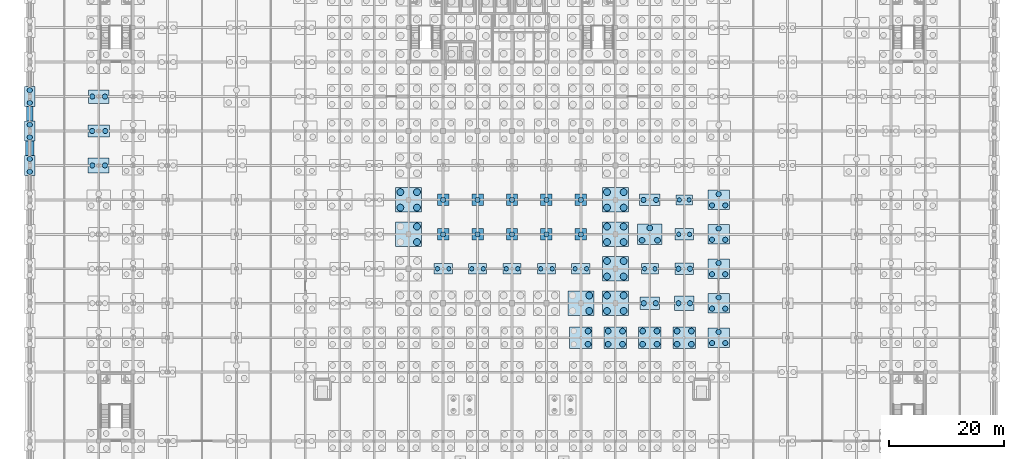
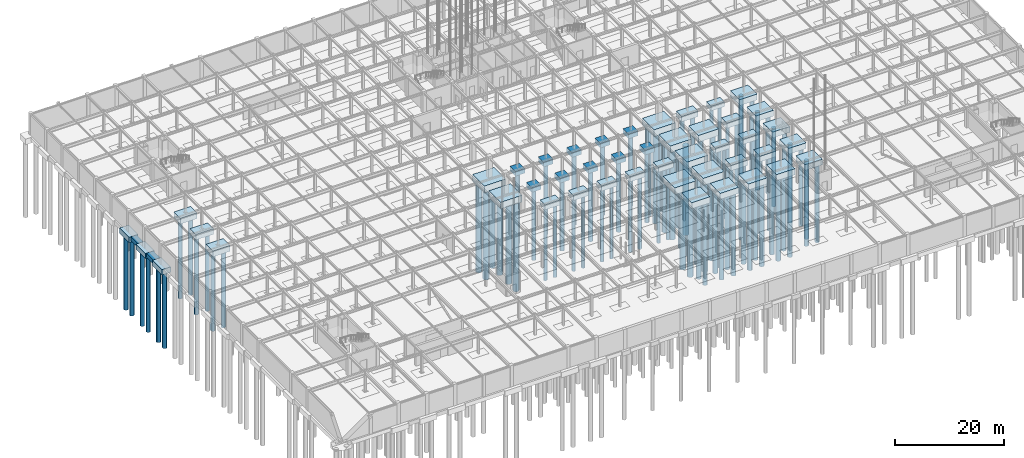
# One storey, part 4 of 69: 102 piles, 47 footings.
"""IFC4 building model written with IfcOpenShell, lengths in metres."""

from ifc_helpers import new_model, si_unit, direction, frame, origin, origin_2d, place, context, subcontext, project, spatial, rectangle, circle, extrude, material, material_profile, profile_set, type_object, element, save


model = new_model("IFC4")

# Units and contexts
model_context = context("Model", 3, precision=1e-05, world=origin(), true_north=direction((0.0, 1.0)))
body_context = subcontext(model_context, "Body", "Model", "MODEL_VIEW")
ifc_project = project(units=[si_unit("LENGTHUNIT", "METRE"), si_unit("AREAUNIT", "SQUARE_METRE"), si_unit("VOLUMEUNIT", "CUBIC_METRE"), si_unit("PLANEANGLEUNIT", "RADIAN"), si_unit("MASSUNIT", "GRAM", prefix="KILO")], contexts=[model_context])

# Site, building, storey
site_placement = place(None, origin())
site = spatial("IfcSite", under=ifc_project, at=site_placement, CompositionType="ELEMENT")
building_placement = place(site_placement, origin())
building = spatial("IfcBuilding", under=site, at=building_placement, Name="Zlatovratsky Civic Hall", CompositionType="ELEMENT")
storey_placement = place(building_placement, frame((0.0, 0.0, -4.800048828125)))
storey = spatial("IfcBuildingStorey", under=building, at=storey_placement, Name="B1", CompositionType="ELEMENT", Elevation=-4.800048828125)

# Footings
ifc_material = material(Name="Concrete C25/30 (B30)", Category="concrete")
footing_type_1 = type_object("IfcFootingType", Name="Footing_Cap1_ChamberUnder_2000x2000x1050", PredefinedType="PILE_CAP", material=ifc_material)
for number, where, z_axis, x_axis, name in (
    (1, (72.0, 54.0, -1.0498046875), (0.0, 0.0, 1.0), (1.0, 0.0, 0.0), "FD-171"),
    (2, (78.0, 54.0, -1.0498046875), (0.0, 0.0, 1.0), (1.0, 0.0, 0.0), "FD-172"),
    (3, (84.0, 54.0, -1.0498046875), (0.0, 0.0, 1.0), (1.0, 0.0, 0.0), "FD-173"),
    (4, (90.0, 54.0, -1.0498046875), (0.0, 0.0, 1.0), (1.0, 0.0, 0.0), "FD-174"),
    (5, (96.0, 54.0, -1.0498046875), (0.0, 0.0, 1.0), (1.0, 0.0, 0.0), "FD-175"),
    (6, (72.0, 60.0, -1.0498046875), (0.0, 0.0, 1.0), (1.0, 0.0, 0.0), "FD-194"),
    (7, (78.0, 60.0, -1.0498046875), (0.0, 0.0, 1.0), (1.0, 0.0, 0.0), "FD-195"),
    (8, (84.0, 60.0, -1.0498046875), (0.0, 0.0, 1.0), (1.0, 0.0, 0.0), "FD-196"),
    (9, (90.0, 60.0, -1.0498046875), (0.0, 0.0, 1.0), (1.0, 0.0, 0.0), "FD-197"),
    (10, (96.0, 60.0, -1.0498046875), (0.0, 0.0, 1.0), (1.0, 0.0, 0.0), "FD-198"),
):
    element("IfcFooting", number, at=place(storey_placement, frame(where, z_axis=z_axis, x_axis=x_axis)), inside=storey, type_object=footing_type_1, Name=name, PredefinedType="PILE_CAP", context=body_context, shape_type="SweptSolid", body=[
        extrude(rectangle(XDim=2.0, YDim=2.0, at=origin_2d()), origin(), (0.0, 0.0, 1.0), 1.050048828125),
    ])
footing_type_2 = type_object("IfcFootingType", Name="Footing_Cap2_ArchiveN_3500x2000x1200", PredefinedType="PILE_CAP", material=ifc_material)
footing_1_placement = place(storey_placement, frame((108.0, 60.0, -1.19970703125), z_axis=(0.0, 0.0, 1.0), x_axis=(1.0, 0.0, 0.0)))
element("IfcFooting", 11, at=footing_1_placement, inside=storey, type_object=footing_type_2, Name="FD-200", PredefinedType="PILE_CAP", context=body_context, shape_type="SweptSolid", body=[
    extrude(rectangle(XDim=3.5, YDim=2.0, at=origin_2d()), origin(), (0.0, 0.0, 1.0), 1.199951171875),
])
footing_type_3 = type_object("IfcFootingType", Name="Footing_Cap2_ArchiveS_3250x1950x1150", PredefinedType="PILE_CAP", material=ifc_material)
footing_2_placement = place(storey_placement, frame((114.0, 48.0, -1.14990234375), z_axis=(0.0, 0.0, 1.0), x_axis=(1.0, 0.0, 0.0)))
element("IfcFooting", 12, at=footing_2_placement, inside=storey, type_object=footing_type_3, Name="FD-155", PredefinedType="PILE_CAP", context=body_context, shape_type="SweptSolid", body=[
    extrude(rectangle(XDim=3.25, YDim=1.949951171875, at=origin_2d()), origin(), (0.0, 0.0, 1.0), 1.14990234375),
])
footing_type_4 = type_object("IfcFootingType", Name="Footing_Cap2_Boulevard_3550x2350x1300", PredefinedType="PILE_CAP", material=ifc_material)
footing_3_placement = place(storey_placement, frame((12.0, 78.0, -1.2998046875), z_axis=(0.0, 0.0, 1.0), x_axis=(1.0, 0.0, 0.0)))
element("IfcFooting", 13, at=footing_3_placement, inside=storey, type_object=footing_type_4, Name="FD-255", PredefinedType="PILE_CAP", context=body_context, shape_type="SweptSolid", body=[
    extrude(rectangle(XDim=3.550048828125, YDim=2.35009765625, at=origin_2d()), origin(), (0.0, 0.0, 1.0), 1.300048828125),
])
footing_type_5 = type_object("IfcFootingType", Name="Footing_Cap2_CourtN_2950x1850x1100", PredefinedType="PILE_CAP", material=ifc_material)
footing_4_placement = place(storey_placement, frame((108.0, 48.0, -1.10009765625), z_axis=(0.0, 0.0, 1.0), x_axis=(1.0, 0.0, 0.0)))
element("IfcFooting", 14, at=footing_4_placement, inside=storey, type_object=footing_type_5, Name="FD-154", PredefinedType="PILE_CAP", context=body_context, shape_type="SweptSolid", body=[
    extrude(rectangle(XDim=2.949951171875, YDim=1.85009765625, at=origin_2d()), origin(), (0.0, 0.0, 1.0), 1.10009765625),
])
footing_type_6 = type_object("IfcFootingType", Name="Footing_Cap2_CourtS_2800x1700x1050", PredefinedType="PILE_CAP", material=ifc_material)
footing_5_placement = place(storey_placement, frame((114.0, 60.0, -1.0498046875), z_axis=(0.0, 0.0, 1.0), x_axis=(1.0, 0.0, 0.0)))
element("IfcFooting", 15, at=footing_5_placement, inside=storey, type_object=footing_type_6, Name="FD-201", PredefinedType="PILE_CAP", context=body_context, shape_type="SweptSolid", body=[
    extrude(rectangle(XDim=2.800048828125, YDim=1.699951171875, at=origin_2d()), origin(), (0.0, 0.0, 1.0), 1.050048828125),
])
footing_type_7 = type_object("IfcFootingType", Name="Footing_Cap2_Galleria_3150x2050x1150", PredefinedType="PILE_CAP", material=ifc_material)
footing_6_placement = place(storey_placement, frame((114.0, 54.0, -1.14990234375), z_axis=(0.0, 0.0, 1.0), x_axis=(1.0, 0.0, 0.0)))
element("IfcFooting", 16, at=footing_6_placement, inside=storey, type_object=footing_type_7, Name="FD-178", PredefinedType="PILE_CAP", context=body_context, shape_type="SweptSolid", body=[
    extrude(rectangle(XDim=3.14990234375, YDim=2.050048828125, at=origin_2d()), origin(), (0.0, 0.0, 1.0), 1.14990234375),
])
footing_type_8 = type_object("IfcFootingType", Name="Footing_Cap2_GalleryLine_3200x1850x1150", PredefinedType="PILE_CAP", material=ifc_material)
for number, where, z_axis, x_axis, name in (
    (17, (72.0, 48.0, -1.14990234375), (0.0, 0.0, 1.0), (1.0, 0.0, 0.0), "FD-148"),
    (18, (78.0, 48.0, -1.14990234375), (0.0, 0.0, 1.0), (1.0, 0.0, 0.0), "FD-149"),
    (19, (84.0, 48.0, -1.14990234375), (0.0, 0.0, 1.0), (1.0, 0.0, 0.0), "FD-150"),
    (20, (90.0, 48.0, -1.14990234375), (0.0, 0.0, 1.0), (1.0, 0.0, 0.0), "FD-151"),
    (21, (96.0, 48.0, -1.14990234375), (0.0, 0.0, 1.0), (1.0, 0.0, 0.0), "FD-152"),
):
    element("IfcFooting", number, at=place(storey_placement, frame(where, z_axis=z_axis, x_axis=x_axis)), inside=storey, type_object=footing_type_8, Name=name, PredefinedType="PILE_CAP", context=body_context, shape_type="SweptSolid", body=[
        extrude(rectangle(XDim=3.199951171875, YDim=1.85009765625, at=origin_2d()), origin(), (0.0, 0.0, 1.0), 1.14990234375),
    ])
footing_type_9 = type_object("IfcFootingType", Name="Footing_Cap2_LibraryE_3650x2550x1300", PredefinedType="PILE_CAP", material=ifc_material)
footing_7_placement = place(storey_placement, frame((12.0, 66.0, -1.2998046875), z_axis=(0.0, 0.0, 1.0), x_axis=(1.0, 0.0, 0.0)))
element("IfcFooting", 22, at=footing_7_placement, inside=storey, type_object=footing_type_9, Name="FD-209", PredefinedType="PILE_CAP", context=body_context, shape_type="SweptSolid", body=[
    extrude(rectangle(XDim=3.64990234375, YDim=2.550048828125, at=origin_2d()), origin(), (0.0, 0.0, 1.0), 1.300048828125),
])
footing_type_10 = type_object("IfcFootingType", Name="Footing_Cap2_PlantB1_3350x2450x1250", PredefinedType="PILE_CAP", material=ifc_material)
footing_8_placement = place(storey_placement, frame((114.0, 42.0, -1.25), z_axis=(0.0, 0.0, 1.0), x_axis=(1.0, 0.0, 0.0)))
element("IfcFooting", 23, at=footing_8_placement, inside=storey, type_object=footing_type_10, Name="FD-132", PredefinedType="PILE_CAP", context=body_context, shape_type="SweptSolid", body=[
    extrude(rectangle(XDim=3.35009765625, YDim=2.449951171875, at=origin_2d()), origin(), (0.0, 0.0, 1.0), 1.25),
])
footing_type_11 = type_object("IfcFootingType", Name="Footing_Cap2_ReceptionW_3450x2250x1200", PredefinedType="PILE_CAP", material=ifc_material)
footing_9_placement = place(storey_placement, frame((108.0, 42.0, -1.19970703125), z_axis=(0.0, 0.0, 1.0), x_axis=(1.0, 0.0, 0.0)))
element("IfcFooting", 24, at=footing_9_placement, inside=storey, type_object=footing_type_11, Name="FD-131", PredefinedType="PILE_CAP", context=body_context, shape_type="SweptSolid", body=[
    extrude(rectangle(XDim=3.449951171875, YDim=2.25, at=origin_2d()), origin(), (0.0, 0.0, 1.0), 1.199951171875),
])
footing_type_12 = type_object("IfcFootingType", Name="Footing_Cap2_ServiceE_3750x2150x1250", PredefinedType="PILE_CAP", material=ifc_material)
footing_10_placement = place(storey_placement, frame((12.0, 72.0, -1.25), z_axis=(0.0, 0.0, 1.0), x_axis=(1.0, 0.0, 0.0)))
element("IfcFooting", 25, at=footing_10_placement, inside=storey, type_object=footing_type_12, Name="FD-232", PredefinedType="PILE_CAP", context=body_context, shape_type="SweptSolid", body=[
    extrude(rectangle(XDim=3.75, YDim=2.14990234375, at=origin_2d()), origin(), (0.0, 0.0, 1.0), 1.25),
])
footing_type_13 = type_object("IfcFootingType", Name="Footing_Cap2_WingEdgeY_1900x3500x1200", PredefinedType="PILE_CAP", material=ifc_material)
for number, where, z_axis, x_axis, name in (
    (26, (0.0, 66.0, -1.19970703125), (0.0, 0.0, 1.0), (1.0, 0.0, 0.0), "FD-208"),
    (27, (0.0, 72.0, -1.19970703125), (0.0, 0.0, 1.0), (1.0, 0.0, 0.0), "FD-231"),
    (28, (0.0, 78.0, -1.19970703125), (0.0, 0.0, 1.0), (1.0, 0.0, 0.0), "FD-254"),
):
    element("IfcFooting", number, at=place(storey_placement, frame(where, z_axis=z_axis, x_axis=x_axis)), inside=storey, type_object=footing_type_13, Name=name, PredefinedType="PILE_CAP", context=body_context, shape_type="SweptSolid", body=[
        extrude(rectangle(XDim=1.89990234375, YDim=3.5, at=origin_2d()), origin(), (0.0, 0.0, 1.0), 1.199951171875),
    ])
footing_type_14 = type_object("IfcFootingType", Name="Footing_Cap3_CourtEdge_3700x3400x1300", PredefinedType="PILE_CAP", material=ifc_material)
for number, where, z_axis, x_axis, name in (
    (29, (120.0, 36.0, -1.2998046875), (0.0, 0.0, 1.0), (1.0, 0.0, 0.0), "FD-110"),
    (30, (120.0, 42.0, -1.2998046875), (0.0, 0.0, 1.0), (1.0, 0.0, 0.0), "FD-133"),
    (31, (120.0, 48.0, -1.2998046875), (0.0, 0.0, 1.0), (1.0, 0.0, 0.0), "FD-156"),
    (32, (120.0, 54.0, -1.2998046875), (0.0, 0.0, 1.0), (1.0, 0.0, 0.0), "FD-179"),
    (33, (120.0, 60.0, -1.2998046875), (0.0, 0.0, 1.0), (1.0, 0.0, 0.0), "FD-202"),
):
    element("IfcFooting", number, at=place(storey_placement, frame(where, z_axis=z_axis, x_axis=x_axis)), inside=storey, type_object=footing_type_14, Name=name, PredefinedType="PILE_CAP", context=body_context, shape_type="SweptSolid", body=[
        extrude(rectangle(XDim=3.699951171875, YDim=3.39990234375, at=origin_2d()), origin(), (0.0, 0.0, 1.0), 1.300048828125),
    ])
footing_type_15 = type_object("IfcFootingType", Name="Footing_Cap3_TowerNorth_4300x3600x1500", PredefinedType="PILE_CAP", material=ifc_material)
footing_11_placement = place(storey_placement, frame((108.0, 54.0, -1.5), z_axis=(0.0, 0.0, 1.0), x_axis=(1.0, 0.0, 0.0)))
element("IfcFooting", 34, at=footing_11_placement, inside=storey, type_object=footing_type_15, Name="FD-177", PredefinedType="PILE_CAP", context=body_context, shape_type="SweptSolid", body=[
    extrude(rectangle(XDim=4.300048828125, YDim=3.60009765625, at=origin_2d()), origin(), (0.0, 0.0, 1.0), 1.5),
])
footing_type_16 = type_object("IfcFootingType", Name="Footing_Cap4_ChamberDrum_4500x4300x1550", PredefinedType="PILE_CAP", material=ifc_material)
for number, where, z_axis, x_axis, name in (
    (35, (96.0, 42.0, -1.5498046875), (0.0, 0.0, 1.0), (1.0, 0.0, 0.0), "FD-129"),
    (36, (102.0, 42.0, -1.5498046875), (0.0, 0.0, 1.0), (1.0, 0.0, 0.0), "FD-130"),
    (37, (102.0, 48.0, -1.5498046875), (0.0, 0.0, 1.0), (1.0, 0.0, 0.0), "FD-153"),
    (38, (66.0, 54.0, -1.5498046875), (0.0, 0.0, 1.0), (1.0, 0.0, 0.0), "FD-170"),
    (39, (102.0, 54.0, -1.5498046875), (0.0, 0.0, 1.0), (1.0, 0.0, 0.0), "FD-176"),
    (40, (66.0, 60.0, -1.5498046875), (0.0, 0.0, 1.0), (1.0, 0.0, 0.0), "FD-193"),
    (41, (102.0, 60.0, -1.5498046875), (0.0, 0.0, 1.0), (1.0, 0.0, 0.0), "FD-199"),
):
    element("IfcFooting", number, at=place(storey_placement, frame(where, z_axis=z_axis, x_axis=x_axis)), inside=storey, type_object=footing_type_16, Name=name, PredefinedType="PILE_CAP", context=body_context, shape_type="SweptSolid", body=[
        extrude(rectangle(XDim=4.5, YDim=4.300048828125, at=origin_2d()), origin(), (0.0, 0.0, 1.0), 1.550048828125),
    ])
footing_type_17 = type_object("IfcFootingType", Name="Footing_Cap4_HallSpine_3900x3700x1350", PredefinedType="PILE_CAP", material=ifc_material)
for number, where, z_axis, x_axis, name in (
    (42, (96.0, 36.0, -1.35009765625), (0.0, 0.0, 1.0), (1.0, 0.0, 0.0), "FD-106"),
    (43, (102.0, 36.0, -1.35009765625), (0.0, 0.0, 1.0), (1.0, 0.0, 0.0), "FD-107"),
    (44, (108.0, 36.0, -1.35009765625), (0.0, 0.0, 1.0), (1.0, 0.0, 0.0), "FD-108"),
    (45, (114.0, 36.0, -1.35009765625), (0.0, 0.0, 1.0), (1.0, 0.0, 0.0), "FD-109"),
):
    element("IfcFooting", number, at=place(storey_placement, frame(where, z_axis=z_axis, x_axis=x_axis)), inside=storey, type_object=footing_type_17, Name=name, PredefinedType="PILE_CAP", context=body_context, shape_type="SweptSolid", body=[
        extrude(rectangle(XDim=3.89990234375, YDim=3.699951171875, at=origin_2d()), origin(), (0.0, 0.0, 1.0), 1.35009765625),
    ])
footing_type_18 = type_object("IfcFootingType", Name="Footing_Strip_B1_01", PredefinedType="STRIP_FOOTING", material=ifc_material)
footing_12_placement = place(storey_placement, frame((0.0, 75.0, -0.85009765625), z_axis=(0.0, 0.0, 1.0), x_axis=(1.0, 0.0, 0.0)))
element("IfcFooting", 46, at=footing_12_placement, inside=storey, type_object=footing_type_18, Name="FD-469", PredefinedType="STRIP_FOOTING", context=body_context, shape_type="SweptSolid", body=[
    extrude(rectangle(XDim=1.199951171875, YDim=2.5, at=origin_2d()), origin(), (0.0, 0.0, 1.0), 0.85009765625),
])
footing_type_19 = type_object("IfcFootingType", Name="Footing_Strip_B1_06", PredefinedType="STRIP_FOOTING", material=ifc_material)
footing_13_placement = place(storey_placement, frame((0.0, 69.0, -0.94970703125), z_axis=(0.0, 0.0, 1.0), x_axis=(1.0, 0.0, 0.0)))
element("IfcFooting", 47, at=footing_13_placement, inside=storey, type_object=footing_type_19, Name="FD-468", PredefinedType="STRIP_FOOTING", context=body_context, shape_type="SweptSolid", body=[
    extrude(rectangle(XDim=1.449951171875, YDim=2.5, at=origin_2d()), origin(), (0.0, 0.0, 1.0), 0.949951171875),
])

# Piles
ifc_material_profile_1 = material_profile(ifc_material, circle(Radius=0.5, at=origin_2d()), Name="PILE D1000")
ifc_profile_set_1 = profile_set([ifc_material_profile_1], Name="Concrete C25/30 (B30)")
pile_type_1 = type_object("IfcPileType", Name="Pile_Bored_D1000", PredefinedType="BORED", material=ifc_profile_set_1)
for number, where, z_axis, x_axis, name in (
    (48, (97.25, 34.85009765625, -1.25), (0.0, 0.0, -1.0), (1.0, 0.0, 0.0), "PL-0284"),
    (49, (97.25, 37.14990234375, -1.25), (0.0, 0.0, -1.0), (1.0, 0.0, 0.0), "PL-0286"),
    (50, (100.75, 34.85009765625, -1.25), (0.0, 0.0, -1.0), (1.0, 0.0, 0.0), "PL-0287"),
    (51, (103.25, 34.85009765625, -1.25), (0.0, 0.0, -1.0), (1.0, 0.0, 0.0), "PL-0288"),
    (52, (100.75, 37.14990234375, -1.25), (0.0, 0.0, -1.0), (1.0, 0.0, 0.0), "PL-0289"),
    (53, (103.25, 37.14990234375, -1.25), (0.0, 0.0, -1.0), (1.0, 0.0, 0.0), "PL-0290"),
    (54, (106.75, 34.85009765625, -1.25), (0.0, 0.0, -1.0), (1.0, 0.0, 0.0), "PL-0291"),
    (55, (109.25, 34.85009765625, -1.25), (0.0, 0.0, -1.0), (1.0, 0.0, 0.0), "PL-0292"),
    (56, (106.75, 37.14990234375, -1.25), (0.0, 0.0, -1.0), (1.0, 0.0, 0.0), "PL-0293"),
    (57, (109.25, 37.14990234375, -1.25), (0.0, 0.0, -1.0), (1.0, 0.0, 0.0), "PL-0294"),
    (58, (112.75, 34.85009765625, -1.25), (0.0, 0.0, -1.0), (1.0, 0.0, 0.0), "PL-0295"),
    (59, (115.25, 34.85009765625, -1.25), (0.0, 0.0, -1.0), (1.0, 0.0, 0.0), "PL-0296"),
    (60, (112.75, 37.14990234375, -1.25), (0.0, 0.0, -1.0), (1.0, 0.0, 0.0), "PL-0297"),
    (61, (115.25, 37.14990234375, -1.25), (0.0, 0.0, -1.0), (1.0, 0.0, 0.0), "PL-0298"),
):
    element("IfcPile", number, at=place(storey_placement, frame(where, z_axis=z_axis, x_axis=x_axis)), inside=storey, type_object=pile_type_1, Name=name, PredefinedType="BORED", context=body_context, shape_type="SweptSolid", body=[
        extrude(circle(Radius=0.5, at=origin_2d()), origin(), (0.0, 0.0, 1.0), 18.5),
    ])
for number, where, z_axis, x_axis, name in (
    (62, (106.64990234375, 52.949951171875, -1.39990234375), (0.0, 0.0, -1.0), (1.0, 0.0, 0.0), "PL-0451"),
    (63, (109.35009765625, 52.949951171875, -1.39990234375), (0.0, 0.0, -1.0), (1.0, 0.0, 0.0), "PL-0452"),
    (64, (108.0, 55.10009765625, -1.39990234375), (0.0, 0.0, -1.0), (1.0, 0.0, 0.0), "PL-0453"),
):
    element("IfcPile", number, at=place(storey_placement, frame(where, z_axis=z_axis, x_axis=x_axis)), inside=storey, type_object=pile_type_1, Name=name, PredefinedType="BORED", context=body_context, shape_type="SweptSolid", body=[
        extrude(circle(Radius=0.5, at=origin_2d()), origin(), (0.0, 0.0, 1.0), 19.0),
    ])
ifc_material_profile_2 = material_profile(ifc_material, circle(Radius=0.60009765625, at=origin_2d()), Name="PILE D1200")
ifc_profile_set_2 = profile_set([ifc_material_profile_2], Name="Concrete C25/30 (B30)")
pile_type_2 = type_object("IfcPileType", Name="Pile_Bored_D1200", PredefinedType="BORED", material=ifc_profile_set_2)
for number, where, z_axis, x_axis, name in (
    (65, (97.449951171875, 40.64990234375, -1.449951171875), (0.0, 0.0, -1.0), (1.0, 0.0, 0.0), "PL-0349"),
    (66, (97.449951171875, 43.35009765625, -1.449951171875), (0.0, 0.0, -1.0), (1.0, 0.0, 0.0), "PL-0351"),
    (67, (100.550048828125, 40.64990234375, -1.449951171875), (0.0, 0.0, -1.0), (1.0, 0.0, 0.0), "PL-0352"),
    (68, (103.449951171875, 40.64990234375, -1.449951171875), (0.0, 0.0, -1.0), (1.0, 0.0, 0.0), "PL-0353"),
    (69, (100.550048828125, 43.35009765625, -1.449951171875), (0.0, 0.0, -1.0), (1.0, 0.0, 0.0), "PL-0354"),
    (70, (103.449951171875, 43.35009765625, -1.449951171875), (0.0, 0.0, -1.0), (1.0, 0.0, 0.0), "PL-0355"),
    (71, (100.550048828125, 46.64990234375, -1.449951171875), (0.0, 0.0, -1.0), (1.0, 0.0, 0.0), "PL-0402"),
    (72, (103.449951171875, 46.64990234375, -1.449951171875), (0.0, 0.0, -1.0), (1.0, 0.0, 0.0), "PL-0403"),
    (73, (100.550048828125, 49.35009765625, -1.449951171875), (0.0, 0.0, -1.0), (1.0, 0.0, 0.0), "PL-0404"),
    (74, (103.449951171875, 49.35009765625, -1.449951171875), (0.0, 0.0, -1.0), (1.0, 0.0, 0.0), "PL-0405"),
    (75, (67.449951171875, 52.64990234375, -1.449951171875), (0.0, 0.0, -1.0), (1.0, 0.0, 0.0), "PL-0439"),
    (76, (67.449951171875, 55.35009765625, -1.449951171875), (0.0, 0.0, -1.0), (1.0, 0.0, 0.0), "PL-0441"),
    (77, (100.550048828125, 52.64990234375, -1.449951171875), (0.0, 0.0, -1.0), (1.0, 0.0, 0.0), "PL-0447"),
    (78, (103.449951171875, 52.64990234375, -1.449951171875), (0.0, 0.0, -1.0), (1.0, 0.0, 0.0), "PL-0448"),
    (79, (100.550048828125, 55.35009765625, -1.449951171875), (0.0, 0.0, -1.0), (1.0, 0.0, 0.0), "PL-0449"),
    (80, (103.449951171875, 55.35009765625, -1.449951171875), (0.0, 0.0, -1.0), (1.0, 0.0, 0.0), "PL-0450"),
    (81, (64.550048828125, 58.64990234375, -1.449951171875), (0.0, 0.0, -1.0), (1.0, 0.0, 0.0), "PL-0486"),
    (82, (67.449951171875, 58.64990234375, -1.449951171875), (0.0, 0.0, -1.0), (1.0, 0.0, 0.0), "PL-0487"),
    (83, (64.550048828125, 61.35009765625, -1.449951171875), (0.0, 0.0, -1.0), (1.0, 0.0, 0.0), "PL-0488"),
    (84, (67.449951171875, 61.35009765625, -1.449951171875), (0.0, 0.0, -1.0), (1.0, 0.0, 0.0), "PL-0489"),
    (85, (100.550048828125, 58.64990234375, -1.449951171875), (0.0, 0.0, -1.0), (1.0, 0.0, 0.0), "PL-0495"),
    (86, (103.449951171875, 58.64990234375, -1.449951171875), (0.0, 0.0, -1.0), (1.0, 0.0, 0.0), "PL-0496"),
    (87, (100.550048828125, 61.35009765625, -1.449951171875), (0.0, 0.0, -1.0), (1.0, 0.0, 0.0), "PL-0497"),
    (88, (103.449951171875, 61.35009765625, -1.449951171875), (0.0, 0.0, -1.0), (1.0, 0.0, 0.0), "PL-0498"),
):
    element("IfcPile", number, at=place(storey_placement, frame(where, z_axis=z_axis, x_axis=x_axis)), inside=storey, type_object=pile_type_2, Name=name, PredefinedType="BORED", context=body_context, shape_type="SweptSolid", body=[
        extrude(circle(Radius=0.60009765625, at=origin_2d()), origin(), (0.0, 0.0, 1.0), 20.0),
    ])
ifc_material_profile_3 = material_profile(ifc_material, circle(Radius=0.375, at=origin_2d()), Name="PILE D750")
ifc_profile_set_3 = profile_set([ifc_material_profile_3], Name="Concrete C25/30 (B30)")
pile_type_3 = type_object("IfcPileType", Name="Pile_Bored_D750", PredefinedType="BORED", material=ifc_profile_set_3)
for number, where, z_axis, x_axis, name in (
    (89, (71.0, 48.0, -1.050048828125), (0.0, 0.0, -1.0), (1.0, 0.0, 0.0), "PL-0392"),
    (90, (73.0, 48.0, -1.050048828125), (0.0, 0.0, -1.0), (1.0, 0.0, 0.0), "PL-0393"),
    (91, (77.0, 48.0, -1.050048828125), (0.0, 0.0, -1.0), (1.0, 0.0, 0.0), "PL-0394"),
    (92, (79.0, 48.0, -1.050048828125), (0.0, 0.0, -1.0), (1.0, 0.0, 0.0), "PL-0395"),
    (93, (83.0, 48.0, -1.050048828125), (0.0, 0.0, -1.0), (1.0, 0.0, 0.0), "PL-0396"),
    (94, (85.0, 48.0, -1.050048828125), (0.0, 0.0, -1.0), (1.0, 0.0, 0.0), "PL-0397"),
    (95, (89.0, 48.0, -1.050048828125), (0.0, 0.0, -1.0), (1.0, 0.0, 0.0), "PL-0398"),
    (96, (91.0, 48.0, -1.050048828125), (0.0, 0.0, -1.0), (1.0, 0.0, 0.0), "PL-0399"),
    (97, (95.0, 48.0, -1.050048828125), (0.0, 0.0, -1.0), (1.0, 0.0, 0.0), "PL-0400"),
    (98, (97.0, 48.0, -1.050048828125), (0.0, 0.0, -1.0), (1.0, 0.0, 0.0), "PL-0401"),
):
    element("IfcPile", number, at=place(storey_placement, frame(where, z_axis=z_axis, x_axis=x_axis)), inside=storey, type_object=pile_type_3, Name=name, PredefinedType="BORED", context=body_context, shape_type="SweptSolid", body=[
        extrude(circle(Radius=0.375, at=origin_2d()), origin(), (0.0, 0.0, 1.0), 16.5),
    ])
for number, where, z_axis, x_axis, name in (
    (99, (107.10009765625, 48.0, -1.0), (0.0, 0.0, -1.0), (1.0, 0.0, 0.0), "PL-0406"),
    (100, (108.89990234375, 48.0, -1.0), (0.0, 0.0, -1.0), (1.0, 0.0, 0.0), "PL-0407"),
    (101, (113.050048828125, 54.0, -1.050048828125), (0.0, 0.0, -1.0), (1.0, 0.0, 0.0), "PL-0454"),
    (102, (114.949951171875, 54.0, -1.050048828125), (0.0, 0.0, -1.0), (1.0, 0.0, 0.0), "PL-0455"),
):
    element("IfcPile", number, at=place(storey_placement, frame(where, z_axis=z_axis, x_axis=x_axis)), inside=storey, type_object=pile_type_3, Name=name, PredefinedType="BORED", context=body_context, shape_type="SweptSolid", body=[
        extrude(circle(Radius=0.375, at=origin_2d()), origin(), (0.0, 0.0, 1.0), 16.0),
    ])
for number, where, z_axis, x_axis, name in (
    (103, (113.14990234375, 60.0, -0.949951171875), (0.0, 0.0, -1.0), (1.0, 0.0, 0.0), "PL-0501"),
    (104, (114.85009765625, 60.0, -0.949951171875), (0.0, 0.0, -1.0), (1.0, 0.0, 0.0), "PL-0502"),
):
    element("IfcPile", number, at=place(storey_placement, frame(where, z_axis=z_axis, x_axis=x_axis)), inside=storey, type_object=pile_type_3, Name=name, PredefinedType="BORED", context=body_context, shape_type="SweptSolid", body=[
        extrude(circle(Radius=0.375, at=origin_2d()), origin(), (0.0, 0.0, 1.0), 15.5),
    ])
ifc_material_profile_4 = material_profile(ifc_material, circle(Radius=0.449951171875, at=origin_2d()), Name="PILE D900")
ifc_profile_set_4 = profile_set([ifc_material_profile_4], Name="Concrete C25/30 (B30)")
pile_type_4 = type_object("IfcPileType", Name="Pile_Bored_D900", PredefinedType="BORED", material=ifc_profile_set_4)
for number, where, z_axis, x_axis, name in (
    (105, (118.85009765625, 35.050048828125, -1.199951171875), (0.0, 0.0, -1.0), (1.0, 0.0, 0.0), "PL-0299"),
    (106, (121.14990234375, 35.050048828125, -1.199951171875), (0.0, 0.0, -1.0), (1.0, 0.0, 0.0), "PL-0300"),
    (107, (120.0, 37.0, -1.199951171875), (0.0, 0.0, -1.0), (1.0, 0.0, 0.0), "PL-0301"),
):
    element("IfcPile", number, at=place(storey_placement, frame(where, z_axis=z_axis, x_axis=x_axis)), inside=storey, type_object=pile_type_4, Name=name, PredefinedType="BORED", context=body_context, shape_type="SweptSolid", body=[
        extrude(circle(Radius=0.449951171875, at=origin_2d()), origin(), (0.0, 0.0, 1.0), 17.5),
    ])
for number, where, z_axis, x_axis, name in (
    (108, (106.949951171875, 42.0, -1.099853515625), (0.0, 0.0, -1.0), (1.0, 0.0, 0.0), "PL-0356"),
    (109, (109.050048828125, 42.0, -1.099853515625), (0.0, 0.0, -1.0), (1.0, 0.0, 0.0), "PL-0357"),
    (110, (113.0, 42.0, -1.14990234375), (0.0, 0.0, -1.0), (1.0, 0.0, 0.0), "PL-0358"),
    (111, (115.0, 42.0, -1.14990234375), (0.0, 0.0, -1.0), (1.0, 0.0, 0.0), "PL-0359"),
):
    element("IfcPile", number, at=place(storey_placement, frame(where, z_axis=z_axis, x_axis=x_axis)), inside=storey, type_object=pile_type_4, Name=name, PredefinedType="BORED", context=body_context, shape_type="SweptSolid", body=[
        extrude(circle(Radius=0.449951171875, at=origin_2d()), origin(), (0.0, 0.0, 1.0), 17.0),
    ])
for number, where, z_axis, x_axis, name in (
    (112, (118.85009765625, 41.050048828125, -1.199951171875), (0.0, 0.0, -1.0), (1.0, 0.0, 0.0), "PL-0360"),
    (113, (121.14990234375, 41.050048828125, -1.199951171875), (0.0, 0.0, -1.0), (1.0, 0.0, 0.0), "PL-0361"),
    (114, (120.0, 43.0, -1.199951171875), (0.0, 0.0, -1.0), (1.0, 0.0, 0.0), "PL-0362"),
):
    element("IfcPile", number, at=place(storey_placement, frame(where, z_axis=z_axis, x_axis=x_axis)), inside=storey, type_object=pile_type_4, Name=name, PredefinedType="BORED", context=body_context, shape_type="SweptSolid", body=[
        extrude(circle(Radius=0.449951171875, at=origin_2d()), origin(), (0.0, 0.0, 1.0), 17.5),
    ])
for number, where, z_axis, x_axis, name in (
    (115, (113.0, 48.0, -1.050048828125), (0.0, 0.0, -1.0), (1.0, 0.0, 0.0), "PL-0408"),
    (116, (115.0, 48.0, -1.050048828125), (0.0, 0.0, -1.0), (1.0, 0.0, 0.0), "PL-0409"),
):
    element("IfcPile", number, at=place(storey_placement, frame(where, z_axis=z_axis, x_axis=x_axis)), inside=storey, type_object=pile_type_4, Name=name, PredefinedType="BORED", context=body_context, shape_type="SweptSolid", body=[
        extrude(circle(Radius=0.449951171875, at=origin_2d()), origin(), (0.0, 0.0, 1.0), 16.5),
    ])
for number, where, z_axis, x_axis, name in (
    (117, (118.85009765625, 47.050048828125, -1.199951171875), (0.0, 0.0, -1.0), (1.0, 0.0, 0.0), "PL-0410"),
    (118, (121.14990234375, 47.050048828125, -1.199951171875), (0.0, 0.0, -1.0), (1.0, 0.0, 0.0), "PL-0411"),
    (119, (120.0, 49.0, -1.199951171875), (0.0, 0.0, -1.0), (1.0, 0.0, 0.0), "PL-0412"),
):
    element("IfcPile", number, at=place(storey_placement, frame(where, z_axis=z_axis, x_axis=x_axis)), inside=storey, type_object=pile_type_4, Name=name, PredefinedType="BORED", context=body_context, shape_type="SweptSolid", body=[
        extrude(circle(Radius=0.449951171875, at=origin_2d()), origin(), (0.0, 0.0, 1.0), 17.5),
    ])
for number, where, z_axis, x_axis, name in (
    (120, (72.0, 54.0, -0.949951171875), (0.0, 0.0, -1.0), (1.0, 0.0, 0.0), "PL-0442"),
    (121, (78.0, 54.0, -0.949951171875), (0.0, 0.0, -1.0), (1.0, 0.0, 0.0), "PL-0443"),
    (122, (84.0, 54.0, -0.949951171875), (0.0, 0.0, -1.0), (1.0, 0.0, 0.0), "PL-0444"),
    (123, (90.0, 54.0, -0.949951171875), (0.0, 0.0, -1.0), (1.0, 0.0, 0.0), "PL-0445"),
    (124, (96.0, 54.0, -0.949951171875), (0.0, 0.0, -1.0), (1.0, 0.0, 0.0), "PL-0446"),
):
    element("IfcPile", number, at=place(storey_placement, frame(where, z_axis=z_axis, x_axis=x_axis)), inside=storey, type_object=pile_type_4, Name=name, PredefinedType="BORED", context=body_context, shape_type="SweptSolid", body=[
        extrude(circle(Radius=0.449951171875, at=origin_2d()), origin(), (0.0, 0.0, 1.0), 16.0),
    ])
for number, where, z_axis, x_axis, name in (
    (125, (118.85009765625, 53.050048828125, -1.199951171875), (0.0, 0.0, -1.0), (1.0, 0.0, 0.0), "PL-0456"),
    (126, (121.14990234375, 53.050048828125, -1.199951171875), (0.0, 0.0, -1.0), (1.0, 0.0, 0.0), "PL-0457"),
    (127, (120.0, 55.0, -1.199951171875), (0.0, 0.0, -1.0), (1.0, 0.0, 0.0), "PL-0458"),
):
    element("IfcPile", number, at=place(storey_placement, frame(where, z_axis=z_axis, x_axis=x_axis)), inside=storey, type_object=pile_type_4, Name=name, PredefinedType="BORED", context=body_context, shape_type="SweptSolid", body=[
        extrude(circle(Radius=0.449951171875, at=origin_2d()), origin(), (0.0, 0.0, 1.0), 17.5),
    ])
for number, where, z_axis, x_axis, name in (
    (128, (72.0, 60.0, -0.949951171875), (0.0, 0.0, -1.0), (1.0, 0.0, 0.0), "PL-0490"),
    (129, (78.0, 60.0, -0.949951171875), (0.0, 0.0, -1.0), (1.0, 0.0, 0.0), "PL-0491"),
    (130, (84.0, 60.0, -0.949951171875), (0.0, 0.0, -1.0), (1.0, 0.0, 0.0), "PL-0492"),
    (131, (90.0, 60.0, -0.949951171875), (0.0, 0.0, -1.0), (1.0, 0.0, 0.0), "PL-0493"),
    (132, (96.0, 60.0, -0.949951171875), (0.0, 0.0, -1.0), (1.0, 0.0, 0.0), "PL-0494"),
):
    element("IfcPile", number, at=place(storey_placement, frame(where, z_axis=z_axis, x_axis=x_axis)), inside=storey, type_object=pile_type_4, Name=name, PredefinedType="BORED", context=body_context, shape_type="SweptSolid", body=[
        extrude(circle(Radius=0.449951171875, at=origin_2d()), origin(), (0.0, 0.0, 1.0), 16.0),
    ])
for number, where, z_axis, x_axis, name in (
    (133, (106.89990234375, 60.0, -1.099853515625), (0.0, 0.0, -1.0), (1.0, 0.0, 0.0), "PL-0499"),
    (134, (109.10009765625, 60.0, -1.099853515625), (0.0, 0.0, -1.0), (1.0, 0.0, 0.0), "PL-0500"),
):
    element("IfcPile", number, at=place(storey_placement, frame(where, z_axis=z_axis, x_axis=x_axis)), inside=storey, type_object=pile_type_4, Name=name, PredefinedType="BORED", context=body_context, shape_type="SweptSolid", body=[
        extrude(circle(Radius=0.449951171875, at=origin_2d()), origin(), (0.0, 0.0, 1.0), 17.0),
    ])
for number, where, z_axis, x_axis, name in (
    (135, (118.85009765625, 59.050048828125, -1.199951171875), (0.0, 0.0, -1.0), (1.0, 0.0, 0.0), "PL-0503"),
    (136, (121.14990234375, 59.050048828125, -1.199951171875), (0.0, 0.0, -1.0), (1.0, 0.0, 0.0), "PL-0504"),
    (137, (120.0, 61.0, -1.199951171875), (0.0, 0.0, -1.0), (1.0, 0.0, 0.0), "PL-0505"),
):
    element("IfcPile", number, at=place(storey_placement, frame(where, z_axis=z_axis, x_axis=x_axis)), inside=storey, type_object=pile_type_4, Name=name, PredefinedType="BORED", context=body_context, shape_type="SweptSolid", body=[
        extrude(circle(Radius=0.449951171875, at=origin_2d()), origin(), (0.0, 0.0, 1.0), 17.5),
    ])
for number, where, z_axis, x_axis, name in (
    (138, (0.0, 64.89990234375, -1.099853515625), (0.0, 0.0, -1.0), (1.0, 0.0, 0.0), "PL-0516"),
    (139, (0.0, 67.10009765625, -1.099853515625), (0.0, 0.0, -1.0), (1.0, 0.0, 0.0), "PL-0517"),
):
    element("IfcPile", number, at=place(storey_placement, frame(where, z_axis=z_axis, x_axis=x_axis)), inside=storey, type_object=pile_type_4, Name=name, PredefinedType="BORED", context=body_context, shape_type="SweptSolid", body=[
        extrude(circle(Radius=0.449951171875, at=origin_2d()), origin(), (0.0, 0.0, 1.0), 17.0),
    ])
for number, where, z_axis, x_axis, name in (
    (140, (10.89990234375, 66.0, -1.199951171875), (0.0, 0.0, -1.0), (1.0, 0.0, 0.0), "PL-0518"),
    (141, (13.10009765625, 66.0, -1.199951171875), (0.0, 0.0, -1.0), (1.0, 0.0, 0.0), "PL-0519"),
):
    element("IfcPile", number, at=place(storey_placement, frame(where, z_axis=z_axis, x_axis=x_axis)), inside=storey, type_object=pile_type_4, Name=name, PredefinedType="BORED", context=body_context, shape_type="SweptSolid", body=[
        extrude(circle(Radius=0.449951171875, at=origin_2d()), origin(), (0.0, 0.0, 1.0), 17.5),
    ])
for number, where, z_axis, x_axis, name in (
    (142, (0.0, 70.89990234375, -1.099853515625), (0.0, 0.0, -1.0), (1.0, 0.0, 0.0), "PL-0566"),
    (143, (0.0, 73.10009765625, -1.099853515625), (0.0, 0.0, -1.0), (1.0, 0.0, 0.0), "PL-0567"),
):
    element("IfcPile", number, at=place(storey_placement, frame(where, z_axis=z_axis, x_axis=x_axis)), inside=storey, type_object=pile_type_4, Name=name, PredefinedType="BORED", context=body_context, shape_type="SweptSolid", body=[
        extrude(circle(Radius=0.449951171875, at=origin_2d()), origin(), (0.0, 0.0, 1.0), 17.0),
    ])
for number, where, z_axis, x_axis, name in (
    (144, (10.85009765625, 72.0, -1.14990234375), (0.0, 0.0, -1.0), (1.0, 0.0, 0.0), "PL-0568"),
    (145, (13.14990234375, 72.0, -1.14990234375), (0.0, 0.0, -1.0), (1.0, 0.0, 0.0), "PL-0569"),
):
    element("IfcPile", number, at=place(storey_placement, frame(where, z_axis=z_axis, x_axis=x_axis)), inside=storey, type_object=pile_type_4, Name=name, PredefinedType="BORED", context=body_context, shape_type="SweptSolid", body=[
        extrude(circle(Radius=0.449951171875, at=origin_2d()), origin(), (0.0, 0.0, 1.0), 17.5),
    ])
for number, where, z_axis, x_axis, name in (
    (146, (0.0, 76.89990234375, -1.099853515625), (0.0, 0.0, -1.0), (1.0, 0.0, 0.0), "PL-0637"),
    (147, (0.0, 79.10009765625, -1.099853515625), (0.0, 0.0, -1.0), (1.0, 0.0, 0.0), "PL-0638"),
):
    element("IfcPile", number, at=place(storey_placement, frame(where, z_axis=z_axis, x_axis=x_axis)), inside=storey, type_object=pile_type_4, Name=name, PredefinedType="BORED", context=body_context, shape_type="SweptSolid", body=[
        extrude(circle(Radius=0.449951171875, at=origin_2d()), origin(), (0.0, 0.0, 1.0), 17.0),
    ])
for number, where, z_axis, x_axis, name in (
    (148, (10.89990234375, 78.0, -1.199951171875), (0.0, 0.0, -1.0), (1.0, 0.0, 0.0), "PL-0639"),
    (149, (13.10009765625, 78.0, -1.199951171875), (0.0, 0.0, -1.0), (1.0, 0.0, 0.0), "PL-0640"),
):
    element("IfcPile", number, at=place(storey_placement, frame(where, z_axis=z_axis, x_axis=x_axis)), inside=storey, type_object=pile_type_4, Name=name, PredefinedType="BORED", context=body_context, shape_type="SweptSolid", body=[
        extrude(circle(Radius=0.449951171875, at=origin_2d()), origin(), (0.0, 0.0, 1.0), 17.5),
    ])

save(model, "model.ifc")
